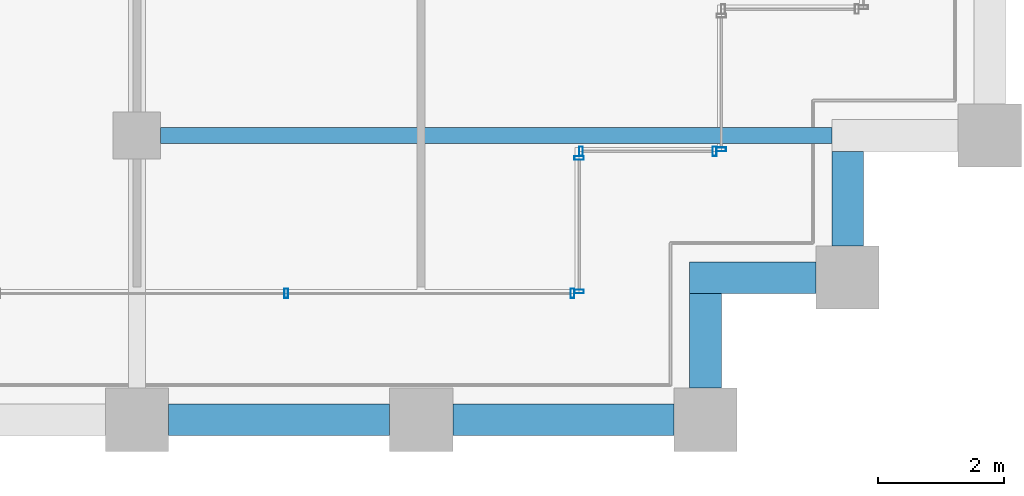
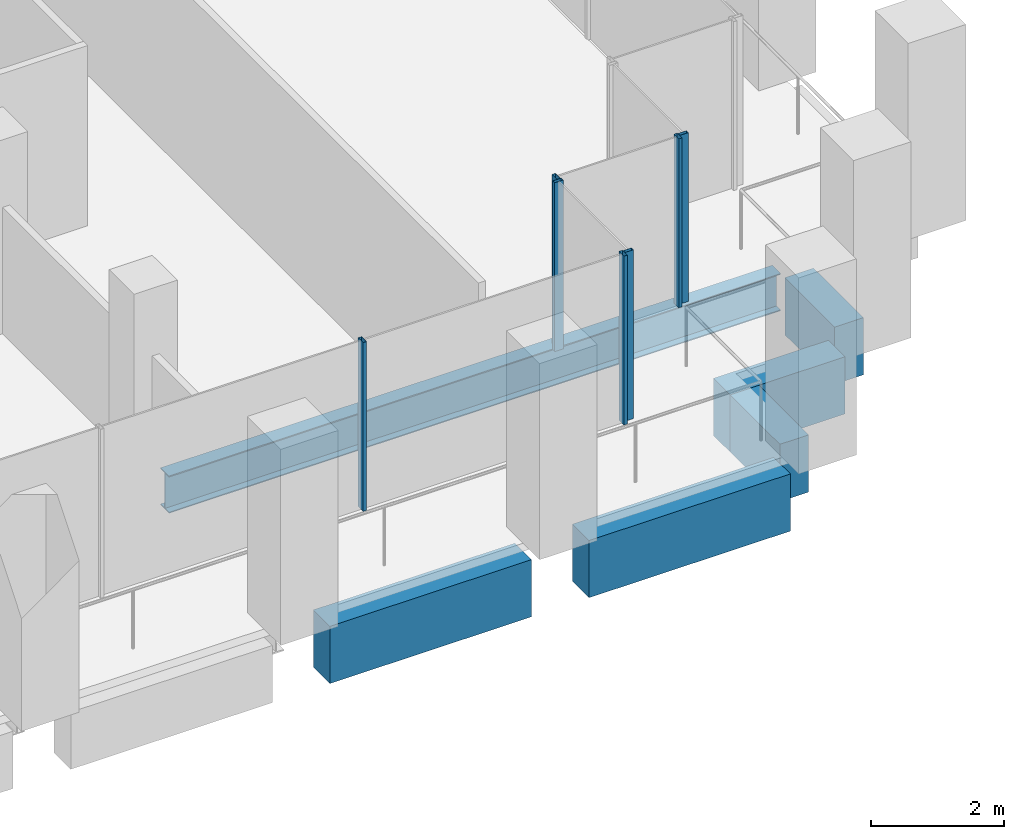
# One storey, part 12 of 45: 7 members, 6 beams, 4 elements without a shape of their own.
"""IFC4 building model written with IfcOpenShell, lengths in metres."""

from ifc_helpers import new_model, si_unit, direction, frame, origin, origin_2d, place, context, subcontext, project, spatial, rectangle, hollow_rectangle, i_section, extrude, material, material_profile, profile_set, type_object, element, aggregate, save


model = new_model("IFC4")

# Units and contexts
model_context = context("Model", 3, precision=1e-05, world=origin(), true_north=direction((0.0, 1.0)))
body_context = subcontext(model_context, "Body", "Model", "MODEL_VIEW")
ifc_project = project(units=[si_unit("LENGTHUNIT", "METRE"), si_unit("AREAUNIT", "SQUARE_METRE"), si_unit("VOLUMEUNIT", "CUBIC_METRE"), si_unit("PLANEANGLEUNIT", "RADIAN"), si_unit("MASSUNIT", "GRAM", prefix="KILO")], contexts=[model_context])

# Site, building, storey
site_placement = place(None, origin())
site = spatial("IfcSite", under=ifc_project, at=site_placement, CompositionType="ELEMENT")
building_placement = place(site_placement, origin())
building = spatial("IfcBuilding", under=site, at=building_placement, Name="Altepetl Exchange Towers", CompositionType="ELEMENT")
storey_placement = place(building_placement, frame((0.0, 0.0, 110.0)))
storey = spatial("IfcBuildingStorey", under=building, at=storey_placement, Name="L27", CompositionType="ELEMENT", Elevation=110.0)

# Beam
ifc_material_1 = material(Name="Steel S355", Category="steel")
ifc_material_profile_1 = material_profile(ifc_material_1, i_section(OverallWidth=0.25390625, OverallDepth=0.68408203125, WebThickness=0.012451171875, FlangeThickness=0.018798828125, at=origin_2d()), Name="W27X94")
ifc_profile_set_1 = profile_set([ifc_material_profile_1], Name="Steel S355")
beam_type_1 = type_object("IfcBeamType", Name="Floor beam W27X94", PredefinedType="BEAM", material=ifc_profile_set_1)
beam_1_placement = place(storey_placement, frame((58.875, 31.5, -0.491943359375), z_axis=(1.0, 0.0, 0.0), x_axis=(0.0, 1.0, 0.0)))
element("IfcBeam", 1, at=beam_1_placement, inside=storey, type_object=beam_type_1, Name="bm:A:L27:006", PredefinedType="BEAM", context=body_context, shape_type="SweptSolid", body=[
    extrude(i_section(OverallWidth=0.25390625, OverallDepth=0.68408203125, WebThickness=0.012451171875, FlangeThickness=0.018798828125, at=origin_2d()), origin(), (0.0, 0.0, 1.0), 10.625),
])

# Curtain wall, members
ifc_material_2 = material(Name="Aluminium 6063-T6 glazing", Category="aluminium")
curtain_wall_type = type_object("IfcCurtainWallType", Name="Loggia glazing system", PredefinedType="NOTDEFINED", material=ifc_material_2)
curtain_wall_1_placement = place(storey_placement, origin())
curtain_wall_1 = element("IfcCurtainWall", 2, at=curtain_wall_1_placement, inside=storey, type_object=curtain_wall_type, Name="CW1 run", PredefinedType="NOTDEFINED")
ifc_material_3 = material(Name="Aluminium 6063-T6", Category="aluminium")
ifc_material_profile_2 = material_profile(ifc_material_3, hollow_rectangle(XDim=0.06005859375, YDim=0.14990234375, WallThickness=0.0029296875, at=origin_2d()), Name="Mullion 60x150 aluminium")
ifc_profile_set_2 = profile_set([ifc_material_profile_2], Name="Aluminium 6063-T6")
member_type = type_object("IfcMemberType", Name="Mullion 60x150 aluminium", PredefinedType="MULLION", material=ifc_profile_set_2)
member_1_placement = place(storey_placement, frame((60.8642578125, 29.0, 0.0)))
member_1 = element("IfcMember", 3, at=member_1_placement, type_object=member_type, Name="MU1 mullion", PredefinedType="MULLION", context=body_context, shape_type="SweptSolid", body=[
    extrude(hollow_rectangle(XDim=0.06005859375, YDim=0.14990234375, WallThickness=0.0029296875, at=origin_2d()), origin(), (0.0, 0.0, 1.0), 3.10009765625),
])
member_2_placement = place(storey_placement, frame((65.39501953125, 29.0, 0.0)))
member_2 = element("IfcMember", 4, at=member_2_placement, type_object=member_type, Name="MU1 mullion", PredefinedType="MULLION", context=body_context, shape_type="SweptSolid", body=[
    extrude(hollow_rectangle(XDim=0.06005859375, YDim=0.14990234375, WallThickness=0.0029296875, at=origin_2d()), origin(), (0.0, 0.0, 1.0), 3.10009765625),
])
aggregate(curtain_wall_1, [member_1, member_2])

curtain_wall_2_placement = place(storey_placement, origin())
curtain_wall_2 = element("IfcCurtainWall", 5, at=curtain_wall_2_placement, inside=storey, type_object=curtain_wall_type, Name="CW1 run", PredefinedType="NOTDEFINED")
member_3_placement = place(storey_placement, frame((65.5, 29.030029296875, 0.0), z_axis=(0.0, 0.0, 1.0), x_axis=(0.0, 1.0, 0.0)))
member_3 = element("IfcMember", 6, at=member_3_placement, type_object=member_type, Name="MU1 mullion", PredefinedType="MULLION", context=body_context, shape_type="SweptSolid", body=[
    extrude(hollow_rectangle(XDim=0.06005859375, YDim=0.14990234375, WallThickness=0.0029296875, at=origin_2d()), origin(), (0.0, 0.0, 1.0), 3.10009765625),
])
member_4_placement = place(storey_placement, frame((65.5, 31.14501953125, 0.0), z_axis=(0.0, 0.0, 1.0), x_axis=(0.0, 1.0, 0.0)))
member_4 = element("IfcMember", 7, at=member_4_placement, type_object=member_type, Name="MU1 mullion", PredefinedType="MULLION", context=body_context, shape_type="SweptSolid", body=[
    extrude(hollow_rectangle(XDim=0.06005859375, YDim=0.14990234375, WallThickness=0.0029296875, at=origin_2d()), origin(), (0.0, 0.0, 1.0), 3.10009765625),
])
aggregate(curtain_wall_2, [member_3, member_4])

curtain_wall_3_placement = place(storey_placement, origin())
curtain_wall_3 = element("IfcCurtainWall", 8, at=curtain_wall_3_placement, inside=storey, type_object=curtain_wall_type, Name="CW1 run", PredefinedType="NOTDEFINED")
member_5_placement = place(storey_placement, frame((65.530029296875, 31.25, 0.0)))
member_5 = element("IfcMember", 9, at=member_5_placement, type_object=member_type, Name="MU1 mullion", PredefinedType="MULLION", context=body_context, shape_type="SweptSolid", body=[
    extrude(hollow_rectangle(XDim=0.06005859375, YDim=0.14990234375, WallThickness=0.0029296875, at=origin_2d()), origin(), (0.0, 0.0, 1.0), 3.10009765625),
])
member_6_placement = place(storey_placement, frame((67.64501953125, 31.25, 0.0)))
member_6 = element("IfcMember", 10, at=member_6_placement, type_object=member_type, Name="MU1 mullion", PredefinedType="MULLION", context=body_context, shape_type="SweptSolid", body=[
    extrude(hollow_rectangle(XDim=0.06005859375, YDim=0.14990234375, WallThickness=0.0029296875, at=origin_2d()), origin(), (0.0, 0.0, 1.0), 3.10009765625),
])
aggregate(curtain_wall_3, [member_5, member_6])

# Curtain wall, member
curtain_wall_4_placement = place(storey_placement, origin())
curtain_wall_4 = element("IfcCurtainWall", 11, at=curtain_wall_4_placement, inside=storey, type_object=curtain_wall_type, Name="CW1 run", PredefinedType="NOTDEFINED")
member_7_placement = place(storey_placement, frame((67.75, 31.280029296875, 0.0), z_axis=(0.0, 0.0, 1.0), x_axis=(0.0, 1.0, 0.0)))
member_7 = element("IfcMember", 12, at=member_7_placement, type_object=member_type, Name="MU1 mullion", PredefinedType="MULLION", context=body_context, shape_type="SweptSolid", body=[
    extrude(hollow_rectangle(XDim=0.06005859375, YDim=0.14990234375, WallThickness=0.0029296875, at=origin_2d()), origin(), (0.0, 0.0, 1.0), 3.10009765625),
])
aggregate(curtain_wall_4, [member_7])

# Beams
ifc_material_4 = material(Name="Concrete C50/60 precast with cantera amarilla facing", Category="concrete")
ifc_material_profile_3 = material_profile(ifc_material_4, rectangle(XDim=0.5, YDim=1.050048828125, at=origin_2d()), Name="500 x 1050")
ifc_profile_set_3 = profile_set([ifc_material_profile_3], Name="Concrete C50/60 precast with cantera amarilla facing")
beam_type_2 = type_object("IfcBeamType", Name="Spandrel beam 500x1050 cantera amarilla", PredefinedType="SPANDREL", material=ifc_profile_set_3)
for number, where, z_axis, x_axis, name in (
    (13, (59.0, 27.0, -0.675048828125), (1.0, 0.0, 0.0), (0.0, 1.0, 0.0), "sp:A:L27:006"),
    (14, (63.5, 27.0, -0.675048828125), (1.0, 0.0, 0.0), (0.0, 1.0, 0.0), "sp:A:L27:007"),
):
    element("IfcBeam", number, at=place(storey_placement, frame(where, z_axis=z_axis, x_axis=x_axis)), inside=storey, type_object=beam_type_2, Name=name, PredefinedType="SPANDREL", context=body_context, shape_type="SweptSolid", body=[
        extrude(rectangle(XDim=0.5, YDim=1.050048828125, at=origin_2d()), origin(), (0.0, 0.0, 1.0), 3.5),
    ])
beam_2_placement = place(storey_placement, frame((67.5, 27.5, -0.675048828125), z_axis=(0.0, 1.0, 0.0), x_axis=(-1.0, 0.0, 0.0)))
element("IfcBeam", 15, at=beam_2_placement, inside=storey, type_object=beam_type_2, Name="sp:A:L27:008", PredefinedType="SPANDREL", context=body_context, shape_type="SweptSolid", body=[
    extrude(rectangle(XDim=0.5, YDim=1.050048828125, at=origin_2d()), origin(), (0.0, 0.0, 1.0), 1.5),
])
beam_3_placement = place(storey_placement, frame((67.25, 29.25, -0.675048828125), z_axis=(1.0, 0.0, 0.0), x_axis=(0.0, 1.0, 0.0)))
element("IfcBeam", 16, at=beam_3_placement, inside=storey, type_object=beam_type_2, Name="sp:A:L27:009", PredefinedType="SPANDREL", context=body_context, shape_type="SweptSolid", body=[
    extrude(rectangle(XDim=0.5, YDim=1.050048828125, at=origin_2d()), origin(), (0.0, 0.0, 1.0), 2.0),
])
beam_4_placement = place(storey_placement, frame((69.75, 29.75, -0.675048828125), z_axis=(0.0, 1.0, 0.0), x_axis=(-1.0, 0.0, 0.0)))
element("IfcBeam", 17, at=beam_4_placement, inside=storey, type_object=beam_type_2, Name="sp:A:L27:010", PredefinedType="SPANDREL", context=body_context, shape_type="SweptSolid", body=[
    extrude(rectangle(XDim=0.5, YDim=1.050048828125, at=origin_2d()), origin(), (0.0, 0.0, 1.0), 1.5),
])

save(model, "model.ifc")
